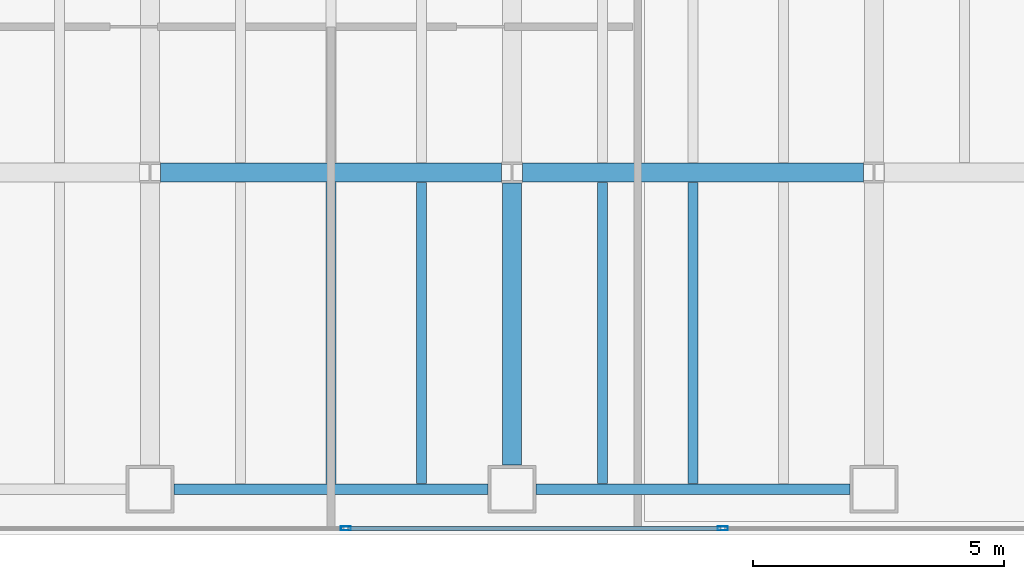
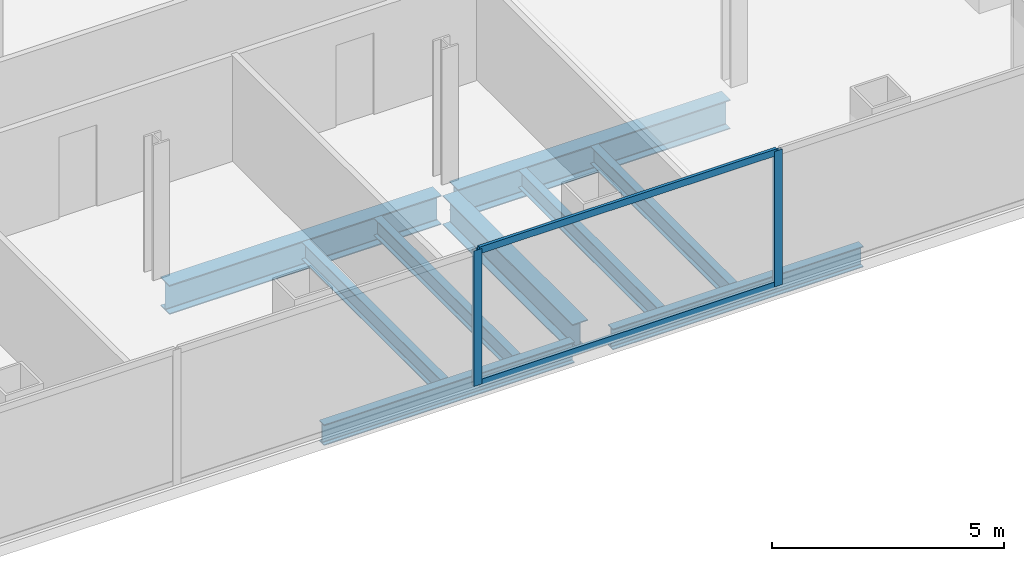
# One storey, part 7 of 24: 9 beams, 4 members, 1 element without a shape of its own.
"""IFC4 building model written with IfcOpenShell, lengths in metres."""

from ifc_helpers import new_model, si_unit, direction, frame, origin, origin_2d, place, context, subcontext, project, spatial, hollow_rectangle, i_section, extrude, material, material_profile, profile_set, type_object, element, aggregate, save


model = new_model("IFC4")

# Units and contexts
model_context = context("Model", 3, precision=1e-05, world=origin(), true_north=direction((0.0, 1.0)))
body_context = subcontext(model_context, "Body", "Model", "MODEL_VIEW")
ifc_project = project(units=[si_unit("LENGTHUNIT", "METRE"), si_unit("AREAUNIT", "SQUARE_METRE"), si_unit("VOLUMEUNIT", "CUBIC_METRE"), si_unit("PLANEANGLEUNIT", "RADIAN"), si_unit("MASSUNIT", "GRAM", prefix="KILO")], contexts=[model_context])

# Site, building, storey
site_placement = place(None, origin())
site = spatial("IfcSite", under=ifc_project, at=site_placement, CompositionType="ELEMENT")
building_placement = place(site_placement, origin())
building = spatial("IfcBuilding", under=site, at=building_placement, Name="Cobrela Telecom Tower", CompositionType="ELEMENT")
storey_placement = place(building_placement, frame((0.0, 0.0, 85.050048828125)))
storey = spatial("IfcBuildingStorey", under=building, at=storey_placement, Name="L21", CompositionType="ELEMENT", Elevation=85.050048828125)

# Beams
ifc_material_1 = material(Name="Steel ASTM A992 Grade 50", Category="steel")
ifc_material_profile_1 = material_profile(ifc_material_1, i_section(OverallWidth=0.381103515625, OverallDepth=0.77197265625, WebThickness=0.0166015625, FlangeThickness=0.027099609375, FilletRadius=0.01904296875, at=origin_2d()), Name="W30X173")
ifc_profile_set_1 = profile_set([ifc_material_profile_1], Name="Steel ASTM A992 Grade 50")
beam_type_1 = type_object("IfcBeamType", Name="BM-GIRD-04", PredefinedType="USERDEFINED", material=ifc_profile_set_1)
for number, where, z_axis, x_axis, name in (
    (1, (29.009521484375, 7.199951171875, -0.666015625), (1.0, 0.0, 0.0), (0.0, 1.0, 0.0), "L21 Primary Girder X10"),
    (2, (36.20947265625, 7.199951171875, -0.666015625), (1.0, 0.0, 0.0), (0.0, 1.0, 0.0), "L21 Primary Girder X11"),
):
    element("IfcBeam", number, at=place(storey_placement, frame(where, z_axis=z_axis, x_axis=x_axis)), inside=storey, type_object=beam_type_1, Name=name, ObjectType="GIRDER", PredefinedType="USERDEFINED", context=body_context, shape_type="SweptSolid", body=[
        extrude(i_section(OverallWidth=0.381103515625, OverallDepth=0.77197265625, WebThickness=0.0166015625, FlangeThickness=0.027099609375, FilletRadius=0.01904296875, at=origin_2d()), origin(), (0.0, 0.0, 1.0), 6.781005859375),
    ])
beam_placement = place(storey_placement, frame((36.0, 1.3798828125, -0.666015625), z_axis=(0.0, 1.0, 0.0), x_axis=(-1.0, 0.0, 0.0)))
element("IfcBeam", 3, at=beam_placement, inside=storey, type_object=beam_type_1, Name="L21 Primary Girder Y50", ObjectType="GIRDER", PredefinedType="USERDEFINED", context=body_context, shape_type="SweptSolid", body=[
    extrude(i_section(OverallWidth=0.381103515625, OverallDepth=0.77197265625, WebThickness=0.0166015625, FlangeThickness=0.027099609375, FilletRadius=0.01904296875, at=origin_2d()), origin(), (0.0, 0.0, 1.0), 5.610595703125),
])
ifc_material_profile_2 = material_profile(ifc_material_1, i_section(OverallWidth=0.193115234375, OverallDepth=0.467041015625, WebThickness=0.011474609375, FlangeThickness=0.01904296875, FilletRadius=0.012939453125, at=origin_2d()), Name="W18X65")
ifc_profile_set_2 = profile_set([ifc_material_profile_2], Name="Steel ASTM A992 Grade 50")
beam_type_2 = type_object("IfcBeamType", Name="BM-JOIST-03", PredefinedType="JOIST", material=ifc_profile_set_2)
for number, where, z_axis, x_axis, name in (
    (4, (32.39990234375, 1.011474609375, -0.513427734375), (0.0, 1.0, 0.0), (-1.0, 0.0, 0.0), "L21 Secondary Composite Floor Beam J44"),
    (5, (34.199951171875, 1.011474609375, -0.513427734375), (0.0, 1.0, 0.0), (-1.0, 0.0, 0.0), "L21 Secondary Composite Floor Beam J47"),
    (6, (37.800048828125, 1.011474609375, -0.513427734375), (0.0, 1.0, 0.0), (-1.0, 0.0, 0.0), "L21 Secondary Composite Floor Beam J50"),
    (7, (39.60009765625, 1.011474609375, -0.513427734375), (0.0, 1.0, 0.0), (-1.0, 0.0, 0.0), "L21 Secondary Composite Floor Beam J53"),
):
    element("IfcBeam", number, at=place(storey_placement, frame(where, z_axis=z_axis, x_axis=x_axis)), inside=storey, type_object=beam_type_2, Name=name, PredefinedType="JOIST", context=body_context, shape_type="SweptSolid", body=[
        extrude(i_section(OverallWidth=0.193115234375, OverallDepth=0.467041015625, WebThickness=0.011474609375, FlangeThickness=0.01904296875, FilletRadius=0.012939453125, at=origin_2d()), origin(), (0.0, 0.0, 1.0), 5.992919921875),
    ])
ifc_material_profile_3 = material_profile(ifc_material_1, i_section(OverallWidth=0.212890625, OverallDepth=0.549072265625, WebThickness=0.0146484375, FlangeThickness=0.023681640625, FilletRadius=0.013916015625, at=origin_2d()), Name="W21X93")
ifc_profile_set_3 = profile_set([ifc_material_profile_3], Name="Steel ASTM A992 Grade 50")
beam_type_3 = type_object("IfcBeamType", Name="BM-SPAND-03", PredefinedType="SPANDREL", material=ifc_profile_set_3)
for number, where, z_axis, x_axis, name in (
    (8, (29.280029296875, 0.89990234375, -0.554443359375), (1.0, 0.0, 0.0), (0.0, 1.0, 0.0), "L21 Perimeter Spandrel X04"),
    (9, (36.47998046875, 0.89990234375, -0.554443359375), (1.0, 0.0, 0.0), (0.0, 1.0, 0.0), "L21 Perimeter Spandrel X05"),
):
    element("IfcBeam", number, at=place(storey_placement, frame(where, z_axis=z_axis, x_axis=x_axis)), inside=storey, type_object=beam_type_3, Name=name, PredefinedType="SPANDREL", context=body_context, shape_type="SweptSolid", body=[
        extrude(i_section(OverallWidth=0.212890625, OverallDepth=0.549072265625, WebThickness=0.0146484375, FlangeThickness=0.023681640625, FilletRadius=0.013916015625, at=origin_2d()), origin(), (0.0, 0.0, 1.0), 6.239990234375),
    ])

# Curtain wall, members
ifc_material_2 = material(Name="Anodized Bronze Aluminium 6063-T6", Category="aluminium")
curtain_wall_type = type_object("IfcCurtainWallType", Name="CW-SYS-DATA", PredefinedType="USERDEFINED", material=ifc_material_2)
curtain_wall_placement = place(storey_placement, origin())
curtain_wall = element("IfcCurtainWall", 10, at=curtain_wall_placement, inside=storey, type_object=curtain_wall_type, Name="L21 Unitised Bronze Curtain Wall 17", ObjectType="UNITISED CURTAIN WALL", PredefinedType="USERDEFINED")
ifc_material_profile_4 = material_profile(ifc_material_2, hollow_rectangle(XDim=0.080078125, YDim=0.199951171875, WallThickness=0.00390625, at=origin_2d()), Name="ALU 80x200x4")
ifc_profile_set_4 = profile_set([ifc_material_profile_4], Name="Anodized Bronze Aluminium 6063-T6")
member_type_1 = type_object("IfcMemberType", Name="CW-SYS-DATA-MUL", PredefinedType="MULLION", material=ifc_profile_set_4)
member_1_placement = place(storey_placement, frame((40.193359375, 0.1201171875, 0.0), z_axis=(0.0, 0.0, 1.0), x_axis=(0.0, -1.0, 0.0)))
member_1 = element("IfcMember", 11, at=member_1_placement, type_object=member_type_1, Name="CW-DATA mullion 2", PredefinedType="MULLION", context=body_context, shape_type="SweptSolid", body=[
    extrude(hollow_rectangle(XDim=0.080078125, YDim=0.199951171875, WallThickness=0.00390625, at=origin_2d()), origin(), (0.0, 0.0, 1.0), 3.570068359375),
])
member_2_placement = place(storey_placement, frame((32.69677734375, 0.1201171875, 0.0), z_axis=(0.0, 0.0, 1.0), x_axis=(0.0, -1.0, 0.0)))
member_2 = element("IfcMember", 12, at=member_2_placement, type_object=member_type_1, Name="CW-DATA mullion 3", PredefinedType="MULLION", context=body_context, shape_type="SweptSolid", body=[
    extrude(hollow_rectangle(XDim=0.080078125, YDim=0.199951171875, WallThickness=0.00390625, at=origin_2d()), origin(), (0.0, 0.0, 1.0), 3.570068359375),
])
ifc_material_profile_5 = material_profile(ifc_material_2, hollow_rectangle(XDim=0.074951171875, YDim=0.179931640625, WallThickness=0.00390625, at=origin_2d()), Name="ALU 75x180x4")
ifc_profile_set_5 = profile_set([ifc_material_profile_5], Name="Anodized Bronze Aluminium 6063-T6")
member_type_2 = type_object("IfcMemberType", Name="CW-SYS-DATA-TRN", PredefinedType="USERDEFINED", material=ifc_profile_set_5)
member_3_placement = place(storey_placement, frame((40.1533203125, 0.1201171875, 0.037353515625), z_axis=(-1.0, 0.0, 0.0), x_axis=(0.0, -1.0, 0.0)))
member_3 = element("IfcMember", 13, at=member_3_placement, type_object=member_type_2, Name="CW-DATA transom 2.1", ObjectType="TRANSOM", PredefinedType="USERDEFINED", context=body_context, shape_type="SweptSolid", body=[
    extrude(hollow_rectangle(XDim=0.074951171875, YDim=0.179931640625, WallThickness=0.00390625, at=origin_2d()), origin(), (0.0, 0.0, 1.0), 7.416748046875),
])
member_4_placement = place(storey_placement, frame((40.1533203125, 0.1201171875, 3.532470703125), z_axis=(-1.0, 0.0, 0.0), x_axis=(0.0, -1.0, 0.0)))
member_4 = element("IfcMember", 14, at=member_4_placement, type_object=member_type_2, Name="CW-DATA transom 2.2", ObjectType="TRANSOM", PredefinedType="USERDEFINED", context=body_context, shape_type="SweptSolid", body=[
    extrude(hollow_rectangle(XDim=0.074951171875, YDim=0.179931640625, WallThickness=0.00390625, at=origin_2d()), origin(), (0.0, 0.0, 1.0), 7.416748046875),
])
aggregate(curtain_wall, [member_1, member_2, member_3, member_4])

save(model, "model.ifc")
